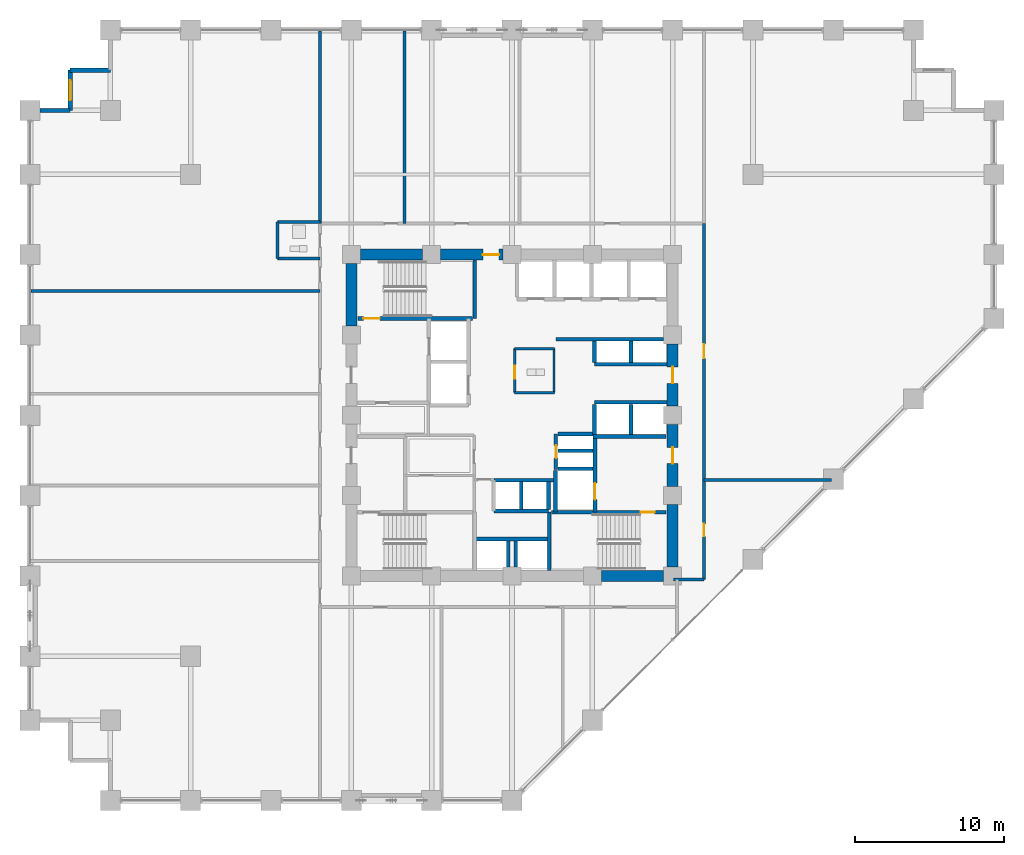
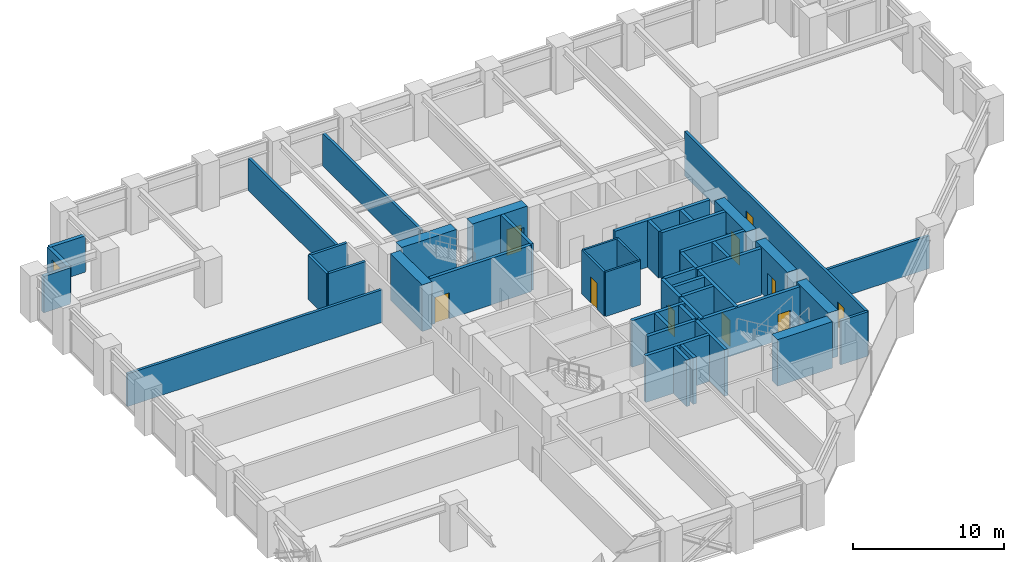
# One storey, part 21 of 24: 48 walls, 10 doors, 1 window, 11 openings.
"""IFC4 building model written with IfcOpenShell, lengths in metres."""

from ifc_helpers import new_model, si_unit, direction, frame, frame_2d, origin, place, context, subcontext, project, spatial, rectangle, extrude, material, layer, layer_set, type_object, element, fill, save


model = new_model("IFC4")

# Units and contexts
model_context = context("Model", 3, precision=1e-05, world=origin(), true_north=direction((0.0, 1.0)))
body_context = subcontext(model_context, "Body", "Model", "MODEL_VIEW")
ifc_project = project(units=[si_unit("LENGTHUNIT", "METRE"), si_unit("AREAUNIT", "SQUARE_METRE"), si_unit("VOLUMEUNIT", "CUBIC_METRE"), si_unit("PLANEANGLEUNIT", "RADIAN"), si_unit("MASSUNIT", "GRAM", prefix="KILO")], contexts=[model_context])

# Site, building, storey
site_placement = place(None, origin())
site = spatial("IfcSite", under=ifc_project, at=site_placement, CompositionType="ELEMENT")
building_placement = place(site_placement, origin())
building = spatial("IfcBuilding", under=site, at=building_placement, Name="Surkhivell Harbour Commons", CompositionType="ELEMENT")
storey_placement = place(building_placement, frame((0.0, 0.0, 30.0)))
storey = spatial("IfcBuildingStorey", under=building, at=storey_placement, Name="L07", CompositionType="ELEMENT", Elevation=30.0)

# Walls
ifc_material_1 = material(Name="Concrete C60/75", Category="concrete")
ifc_layer_1 = layer(ifc_material_1, 0.75)
ifc_layer_set_1 = layer_set([ifc_layer_1], Name="Concrete C60/75")
wall_type_1 = type_object("IfcWallType", Name="WAL-CORE-750", PredefinedType="SHEAR", material=ifc_layer_set_1)
for number, where, z_axis, x_axis, name in (
    (1, (-10.18994140625, 10.800048828125, 0.0), (0.0, 0.0, 1.0), (1.0, 0.0, 0.0), "L07 Core Shear Wall North 1"),
    (2, (10.800048828125, -10.18994140625, 0.0), (0.0, 0.0, 1.0), (0.0, 1.0, 0.0), "L07 Core Shear Wall East 1"),
):
    element("IfcWall", number, at=place(storey_placement, frame(where, z_axis=z_axis, x_axis=x_axis)), inside=storey, type_object=wall_type_1, Name=name, PredefinedType="SHEAR", context=body_context, shape_type="SweptSolid", body=[
        extrude(rectangle(XDim=4.179931640625, YDim=0.75, at=frame_2d((2.08984375, 0.0))), origin(), (0.0, 0.0, 1.0), 3.75),
    ])

# Wall, opening, door
wall_1_placement = place(storey_placement, frame((-4.7900390625, 10.800048828125, 0.0), z_axis=(0.0, 0.0, 1.0), x_axis=(1.0, 0.0, 0.0)))
wall_1 = element("IfcWall", 3, at=wall_1_placement, inside=storey, type_object=wall_type_1, Name="L07 Core Shear Wall North 2", PredefinedType="SHEAR", context=body_context, shape_type="SweptSolid", body=[
    extrude(rectangle(XDim=4.179931640625, YDim=0.75, at=frame_2d((2.08984375, 0.0))), origin(), (0.0, 0.0, 1.0), 3.75),
])
opening_1_placement = place(wall_1_placement, frame((2.830078125, 0.0, 0.0)))
opening_1 = element("IfcOpeningElement", 4, at=opening_1_placement, cuts=wall_1, Name="Opening ID-2", PredefinedType="OPENING", context=body_context, shape_type="SweptSolid", body=[
    extrude(rectangle(XDim=1.10009765625, YDim=2.10009765625, at=frame_2d((0.550048828125, 1.050048828125))), frame((0.0, 0.385009765625, 0.0), z_axis=(0.0, -1.0, 0.0), x_axis=(1.0, 0.0, 0.0)), (0.0, 0.0, 1.0), 0.77001953125),
])
ifc_material_2 = material(Name="Hardwood-veneered fire-rated door leaf", Category="wood")
door_type_1 = type_object("IfcDoorType", Name="DOR-FD60-1100", OperationType="NOTDEFINED", PredefinedType="DOOR", material=ifc_material_2)
door_1_placement = place(opening_1_placement, origin())
door_1 = element("IfcDoor", 5, at=door_1_placement, inside=storey, type_object=door_type_1, Name="L07 Central Core Lift Hall North Corridor Door", OperationType="SINGLE_SWING_LEFT", OverallHeight=2.10009765625, OverallWidth=1.10009765625, PredefinedType="DOOR", context=body_context, shape_type="SweptSolid", body=[
    extrude(rectangle(XDim=1.10009765625, YDim=2.10009765625, at=frame_2d((0.550048828125, 1.050048828125))), frame((0.0, 0.02490234375, 0.0), z_axis=(0.0, -1.0, 0.0), x_axis=(1.0, 0.0, 0.0)), (0.0, 0.0, 1.0), 0.050048828125),
])
fill(opening_1, door_1)

wall_2_placement = place(storey_placement, frame((10.800048828125, -4.7900390625, 0.0), z_axis=(0.0, 0.0, 1.0), x_axis=(0.0, 1.0, 0.0)))
wall_2 = element("IfcWall", 6, at=wall_2_placement, inside=storey, type_object=wall_type_1, Name="L07 Core Shear Wall East 2", PredefinedType="SHEAR", context=body_context, shape_type="SweptSolid", body=[
    extrude(rectangle(XDim=4.179931640625, YDim=0.75, at=frame_2d((2.08984375, 0.0))), origin(), (0.0, 0.0, 1.0), 3.75),
])
opening_2_placement = place(wall_2_placement, frame((1.5400390625, 0.0, 0.0)))
opening_2 = element("IfcOpeningElement", 7, at=opening_2_placement, cuts=wall_2, Name="Opening ID-1", PredefinedType="OPENING", context=body_context, shape_type="SweptSolid", body=[
    extrude(rectangle(XDim=1.10009765625, YDim=2.10009765625, at=frame_2d((0.550048828125, 1.050048828125))), frame((0.0, 0.385009765625, 0.0), z_axis=(0.0, -1.0, 0.0), x_axis=(1.0, 0.0, 0.0)), (0.0, 0.0, 1.0), 0.77001953125),
])
door_type_2 = type_object("IfcDoorType", Name="DOR-FD120-1100", OperationType="NOTDEFINED", PredefinedType="DOOR", material=ifc_material_2)
door_2_placement = place(opening_2_placement, origin())
door_2 = element("IfcDoor", 8, at=door_2_placement, inside=storey, type_object=door_type_2, Name="L07 Firefighting Lobby 2 Corridor Door", OperationType="SINGLE_SWING_RIGHT", OverallHeight=2.10009765625, OverallWidth=1.10009765625, PredefinedType="DOOR", context=body_context, shape_type="SweptSolid", body=[
    extrude(rectangle(XDim=1.10009765625, YDim=2.10009765625, at=frame_2d((0.550048828125, 1.050048828125))), frame((0.0, 0.02490234375, 0.0), z_axis=(0.0, -1.0, 0.0), x_axis=(1.0, 0.0, 0.0)), (0.0, 0.0, 1.0), 0.050048828125),
])
fill(opening_2, door_2)

wall_3_placement = place(storey_placement, frame((10.800048828125, 0.610107421875, 0.0), z_axis=(0.0, 0.0, 1.0), x_axis=(0.0, 1.0, 0.0)))
wall_3 = element("IfcWall", 9, at=wall_3_placement, inside=storey, type_object=wall_type_1, Name="L07 Core Shear Wall East 3", PredefinedType="SHEAR", context=body_context, shape_type="SweptSolid", body=[
    extrude(rectangle(XDim=4.179931640625, YDim=0.75, at=frame_2d((2.08984375, 0.0))), origin(), (0.0, 0.0, 1.0), 3.75),
])
opening_3_placement = place(wall_3_placement, frame((1.5400390625, 0.0, 0.0)))
opening_3 = element("IfcOpeningElement", 10, at=opening_3_placement, cuts=wall_3, Name="Opening ID-2", PredefinedType="OPENING", context=body_context, shape_type="SweptSolid", body=[
    extrude(rectangle(XDim=1.10009765625, YDim=2.10009765625, at=frame_2d((0.550048828125, 1.050048828125))), frame((0.0, 0.385009765625, 0.0), z_axis=(0.0, -1.0, 0.0), x_axis=(1.0, 0.0, 0.0)), (0.0, 0.0, 1.0), 0.77001953125),
])
door_3_placement = place(opening_3_placement, origin())
door_3 = element("IfcDoor", 11, at=door_3_placement, inside=storey, type_object=door_type_1, Name="L07 Mid-Rise Lobby East Door", OperationType="SINGLE_SWING_LEFT", OverallHeight=2.10009765625, OverallWidth=1.10009765625, PredefinedType="DOOR", context=body_context, shape_type="SweptSolid", body=[
    extrude(rectangle(XDim=1.10009765625, YDim=2.10009765625, at=frame_2d((0.550048828125, 1.050048828125))), frame((0.0, 0.02490234375, 0.0), z_axis=(0.0, -1.0, 0.0), x_axis=(1.0, 0.0, 0.0)), (0.0, 0.0, 1.0), 0.050048828125),
])
fill(opening_3, door_3)

# Walls
for number, where, z_axis, x_axis, name in (
    (12, (6.010009765625, -10.800048828125, 0.0), (0.0, 0.0, 1.0), (1.0, 0.0, 0.0), "L07 Core Shear Wall South 4"),
    (13, (-10.800048828125, 6.010009765625, 0.0), (0.0, 0.0, 1.0), (0.0, 1.0, 0.0), "L07 Core Shear Wall West 4"),
):
    element("IfcWall", number, at=place(storey_placement, frame(where, z_axis=z_axis, x_axis=x_axis)), inside=storey, type_object=wall_type_1, Name=name, PredefinedType="SHEAR", context=body_context, shape_type="SweptSolid", body=[
        extrude(rectangle(XDim=4.179931640625, YDim=0.75, at=frame_2d((2.08984375, 0.0))), origin(), (0.0, 0.0, 1.0), 3.75),
    ])
ifc_material_3 = material(Name="Terracotta-clad reinforced concrete C45/55", Category="masonry")
ifc_layer_2 = layer(ifc_material_3, 0.280029296875)
ifc_layer_set_2 = layer_set([ifc_layer_2], Name="Terracotta-clad reinforced concrete C45/55")
wall_type_2 = type_object("IfcWallType", Name="WAL-EXT-TER280", PredefinedType="STANDARD", material=ifc_layer_set_2)
wall_4_placement = place(storey_placement, frame((-27.0, 23.199951171875, 0.0), z_axis=(0.0, 0.0, 1.0), x_axis=(-1.0, 0.0, 0.0)))
element("IfcWall", 14, at=wall_4_placement, inside=storey, type_object=wall_type_2, Name="L07 Serrated Corner Facade Wall 09", PredefinedType="STANDARD", context=body_context, shape_type="SweptSolid", body=[
    extrude(rectangle(XDim=2.699951171875, YDim=0.280029296875, at=frame_2d((1.35009765625, 0.0))), origin(), (0.0, 0.0, 1.0), 2.929931640625),
])

# Wall, opening, window
wall_5_placement = place(storey_placement, frame((-29.699951171875, 23.199951171875, 0.0), z_axis=(0.0, 0.0, 1.0), x_axis=(0.0, -1.0, 0.0)))
wall_5 = element("IfcWall", 15, at=wall_5_placement, inside=storey, type_object=wall_type_2, Name="L07 Serrated Corner Facade Wall 10", PredefinedType="STANDARD", context=body_context, shape_type="SweptSolid", body=[
    extrude(rectangle(XDim=2.699951171875, YDim=0.280029296875, at=frame_2d((1.35009765625, 0.0))), origin(), (0.0, 0.0, 1.0), 2.929931640625),
])
opening_4_placement = place(wall_5_placement, frame((0.675048828125, 0.0, 0.64990234375)))
opening_4 = element("IfcOpeningElement", 16, at=opening_4_placement, cuts=wall_5, Name="Opening WN-08", PredefinedType="OPENING", context=body_context, shape_type="SweptSolid", body=[
    extrude(rectangle(XDim=1.35009765625, YDim=1.64990234375, at=frame_2d((0.675048828125, 0.824951171875))), frame((0.0, 0.14990234375, 0.0), z_axis=(0.0, -1.0, 0.0), x_axis=(1.0, 0.0, 0.0)), (0.0, 0.0, 1.0), 0.300048828125),
])
ifc_material_4 = material(Name="Thermal-break aluminium frame and double low-E glazing", Category="aluminium")
window_type = type_object("IfcWindowType", Name="WIN-SER-1350x1650", PartitioningType="SINGLE_PANEL", PredefinedType="WINDOW", material=ifc_material_4)
window_placement = place(opening_4_placement, origin())
window = element("IfcWindow", 17, at=window_placement, inside=storey, type_object=window_type, Name="L07 Serrated Alcove Window 10", OverallHeight=1.64990234375, OverallWidth=1.35009765625, PartitioningType="SINGLE_PANEL", PredefinedType="WINDOW", context=body_context, shape_type="SweptSolid", body=[
    extrude(rectangle(XDim=1.35009765625, YDim=1.64990234375, at=frame_2d((0.675048828125, 0.824951171875))), frame((0.0, 0.030029296875, 0.0), z_axis=(0.0, -1.0, 0.0), x_axis=(1.0, 0.0, 0.0)), (0.0, 0.0, 1.0), 0.06005859375),
])
fill(opening_4, window)

# Walls
wall_6_placement = place(storey_placement, frame((-29.699951171875, 20.5, 0.0), z_axis=(0.0, 0.0, 1.0), x_axis=(-1.0, 0.0, 0.0)))
element("IfcWall", 18, at=wall_6_placement, inside=storey, type_object=wall_type_2, Name="L07 Serrated Corner Facade Wall 11", PredefinedType="STANDARD", context=body_context, shape_type="SweptSolid", body=[
    extrude(rectangle(XDim=2.027099609375, YDim=0.280029296875, at=frame_2d((1.013671875, 0.0))), origin(), (0.0, 0.0, 1.0), 2.929931640625),
])
ifc_material_5 = material(Name="Twin-stud acoustic fireboard partition", Category="other")
ifc_layer_3 = layer(ifc_material_5, 0.14990234375)
ifc_layer_set_3 = layer_set([ifc_layer_3], Name="Twin-stud acoustic fireboard partition")
wall_type_3 = type_object("IfcWallType", Name="WAL-INT-150", PredefinedType="PARTITIONING", material=ifc_layer_set_3)
wall_7_placement = place(storey_placement, frame((2.820068359375, 1.52001953125, 0.0), z_axis=(0.0, 0.0, 1.0), x_axis=(0.0, 1.0, 0.0)))
element("IfcWall", 19, at=wall_7_placement, inside=storey, type_object=wall_type_3, Name="L07 Core Accessible WC East Wall", PredefinedType="PARTITIONING", context=body_context, shape_type="SweptSolid", body=[
    extrude(rectangle(XDim=2.9599609375, YDim=0.14990234375, at=frame_2d((1.47998046875, 0.0))), origin(), (0.0, 0.0, 1.0), 3.570068359375),
])
for number, where, z_axis, x_axis, name in (
    (20, (0.179931640625, 4.47998046875, 0.0), (0.0, 0.0, 1.0), (1.0, 0.0, 0.0), "L07 Core Accessible WC North Wall"),
    (21, (0.179931640625, 1.52001953125, 0.0), (0.0, 0.0, 1.0), (1.0, 0.0, 0.0), "L07 Core Accessible WC South Wall"),
):
    element("IfcWall", number, at=place(storey_placement, frame(where, z_axis=z_axis, x_axis=x_axis)), inside=storey, type_object=wall_type_3, Name=name, PredefinedType="PARTITIONING", context=body_context, shape_type="SweptSolid", body=[
        extrude(rectangle(XDim=2.670166015625, YDim=0.14990234375, at=frame_2d((1.3349609375, 0.0))), origin(), (0.0, 0.0, 1.0), 3.570068359375),
    ])

# Wall, opening, door
wall_8_placement = place(storey_placement, frame((0.179931640625, 1.52001953125, 0.0), z_axis=(0.0, 0.0, 1.0), x_axis=(0.0, 1.0, 0.0)))
wall_8 = element("IfcWall", 22, at=wall_8_placement, inside=storey, type_object=wall_type_3, Name="L07 Core Accessible WC West Wall", PredefinedType="PARTITIONING", context=body_context, shape_type="SweptSolid", body=[
    extrude(rectangle(XDim=2.9599609375, YDim=0.14990234375, at=frame_2d((1.47998046875, 0.0))), origin(), (0.0, 0.0, 1.0), 3.570068359375),
])
opening_5_placement = place(wall_8_placement, frame((0.949951171875, 0.0, 0.0)))
opening_5 = element("IfcOpeningElement", 23, at=opening_5_placement, cuts=wall_8, Name="Opening ID-6", PredefinedType="OPENING", context=body_context, shape_type="SweptSolid", body=[
    extrude(rectangle(XDim=0.85009765625, YDim=2.10009765625, at=frame_2d((0.425048828125, 1.050048828125))), frame((0.0, 0.0849609375, 0.0), z_axis=(0.0, -1.0, 0.0), x_axis=(1.0, 0.0, 0.0)), (0.0, 0.0, 1.0), 0.169921875),
])
door_type_3 = type_object("IfcDoorType", Name="DOR-FD30-850", OperationType="NOTDEFINED", PredefinedType="DOOR", material=ifc_material_2)
door_4_placement = place(opening_5_placement, origin())
door_4 = element("IfcDoor", 24, at=door_4_placement, inside=storey, type_object=door_type_3, Name="L07 Floor Accessible WC Door", OperationType="SINGLE_SWING_RIGHT", OverallHeight=2.10009765625, OverallWidth=0.85009765625, PredefinedType="DOOR", context=body_context, shape_type="SweptSolid", body=[
    extrude(rectangle(XDim=0.85009765625, YDim=2.10009765625, at=frame_2d((0.425048828125, 1.050048828125))), frame((0.0, 0.02490234375, 0.0), z_axis=(0.0, -1.0, 0.0), x_axis=(1.0, 0.0, 0.0)), (0.0, 0.0, 1.0), 0.050048828125),
])
fill(opening_5, door_4)

# Wall
ifc_material_6 = material(Name="Autoclaved aerated concrete blockwork and fire plaster", Category="masonry")
ifc_layer_4 = layer(ifc_material_6, 0.199951171875)
ifc_layer_set_4 = layer_set([ifc_layer_4], Name="Autoclaved aerated concrete blockwork and fire plaster")
wall_type_4 = type_object("IfcWallType", Name="WAL-INT-200", PredefinedType="PARTITIONING", material=ifc_layer_set_4)
wall_9_placement = place(storey_placement, frame((-12.89990234375, 12.89990234375, 0.0), z_axis=(0.0, 0.0, 1.0), x_axis=(0.0, 1.0, 0.0)))
element("IfcWall", 25, at=wall_9_placement, inside=storey, type_object=wall_type_4, Name="L07 North-West Wing Corner Divider", PredefinedType="PARTITIONING", context=body_context, shape_type="SweptSolid", body=[
    extrude(rectangle(XDim=12.940185546875, YDim=0.199951171875, at=frame_2d((6.47021484375, 0.0))), origin(), (0.0, 0.0, 1.0), 2.62890625),
])

# Wall, openings, doors
wall_10_placement = place(storey_placement, frame((12.89990234375, -11.0400390625, 0.0), z_axis=(0.0, 0.0, 1.0), x_axis=(0.0, 1.0, 0.0)))
wall_10 = element("IfcWall", 26, at=wall_10_placement, inside=storey, type_object=wall_type_4, Name="L07 Corridor East Wall", PredefinedType="PARTITIONING", context=body_context, shape_type="SweptSolid", body=[
    extrude(rectangle(XDim=23.93994140625, YDim=0.199951171875, at=frame_2d((11.969970703125, 0.0))), origin(), (0.0, 0.0, 1.0), 3.570068359375),
])
opening_6_placement = place(wall_10_placement, frame((2.89990234375, 0.0, 0.0)))
opening_6 = element("IfcOpeningElement", 27, at=opening_6_placement, cuts=wall_10, Name="Opening ID-6", PredefinedType="OPENING", context=body_context, shape_type="SweptSolid", body=[
    extrude(rectangle(XDim=0.85009765625, YDim=2.10009765625, at=frame_2d((0.425048828125, 1.050048828125))), frame((0.0, 0.10986328125, 0.0), z_axis=(0.0, -1.0, 0.0), x_axis=(1.0, 0.0, 0.0)), (0.0, 0.0, 1.0), 0.219970703125),
])
opening_7_placement = place(wall_10_placement, frame((14.8701171875, 0.0, 0.0)))
opening_7 = element("IfcOpeningElement", 28, at=opening_7_placement, cuts=wall_10, Name="Opening ID-4", PredefinedType="OPENING", context=body_context, shape_type="SweptSolid", body=[
    extrude(rectangle(XDim=0.949951171875, YDim=2.10009765625, at=frame_2d((0.47509765625, 1.050048828125))), frame((0.0, 0.10986328125, 0.0), z_axis=(0.0, -1.0, 0.0), x_axis=(1.0, 0.0, 0.0)), (0.0, 0.0, 1.0), 0.219970703125),
])
door_5_placement = place(opening_6_placement, origin())
door_5 = element("IfcDoor", 29, at=door_5_placement, inside=storey, type_object=door_type_3, Name="L07 Shared Communal Kitchen A East Door", OperationType="SINGLE_SWING_LEFT", OverallHeight=2.10009765625, OverallWidth=0.85009765625, PredefinedType="DOOR", context=body_context, shape_type="SweptSolid", body=[
    extrude(rectangle(XDim=0.85009765625, YDim=2.10009765625, at=frame_2d((0.425048828125, 1.050048828125))), frame((0.0, 0.02490234375, 0.0), z_axis=(0.0, -1.0, 0.0), x_axis=(1.0, 0.0, 0.0)), (0.0, 0.0, 1.0), 0.050048828125),
])
fill(opening_6, door_5)
door_type_4 = type_object("IfcDoorType", Name="DOR-FD60-950", OperationType="NOTDEFINED", PredefinedType="DOOR", material=ifc_material_2)
door_6_placement = place(opening_7_placement, origin())
door_6 = element("IfcDoor", 30, at=door_6_placement, inside=storey, type_object=door_type_4, Name="L07 Shared Communal Kitchen B East Door", OperationType="SINGLE_SWING_RIGHT", OverallHeight=2.10009765625, OverallWidth=0.949951171875, PredefinedType="DOOR", context=body_context, shape_type="SweptSolid", body=[
    extrude(rectangle(XDim=0.949951171875, YDim=2.10009765625, at=frame_2d((0.47509765625, 1.050048828125))), frame((0.0, 0.02490234375, 0.0), z_axis=(0.0, -1.0, 0.0), x_axis=(1.0, 0.0, 0.0)), (0.0, 0.0, 1.0), 0.050048828125),
])
fill(opening_7, door_6)

# Walls
wall_11_placement = place(storey_placement, frame((10.85009765625, -11.0400390625, 0.0), z_axis=(0.0, 0.0, 1.0), x_axis=(1.0, 0.0, 0.0)))
element("IfcWall", 31, at=wall_11_placement, inside=storey, type_object=wall_type_4, Name="L07 Corridor East South Closure Wall", PredefinedType="PARTITIONING", context=body_context, shape_type="SweptSolid", body=[
    extrude(rectangle(XDim=2.0498046875, YDim=0.199951171875, at=frame_2d((1.02490234375, 0.0))), origin(), (0.0, 0.0, 1.0), 3.570068359375),
])
wall_12_placement = place(storey_placement, frame((12.89990234375, -4.340087890625, 0.0), z_axis=(0.0, 0.0, 1.0), x_axis=(1.0, 0.0, 0.0)))
element("IfcWall", 32, at=wall_12_placement, inside=storey, type_object=wall_type_4, Name="L07 East Partition P1", PredefinedType="PARTITIONING", context=body_context, shape_type="SweptSolid", body=[
    extrude(rectangle(XDim=8.5751953125, YDim=0.199951171875, at=frame_2d((4.28759765625, 0.0))), origin(), (0.0, 0.0, 1.0), 2.62890625),
])
wall_13_placement = place(storey_placement, frame((-7.219970703125, 12.89990234375, 0.0), z_axis=(0.0, 0.0, 1.0), x_axis=(0.0, 1.0, 0.0)))
element("IfcWall", 33, at=wall_13_placement, inside=storey, type_object=wall_type_4, Name="L07 North Partition P1", PredefinedType="PARTITIONING", context=body_context, shape_type="SweptSolid", body=[
    extrude(rectangle(XDim=12.940185546875, YDim=0.199951171875, at=frame_2d((6.47021484375, 0.0))), origin(), (0.0, 0.0, 1.0), 2.62890625),
])
wall_14_placement = place(storey_placement, frame((-15.75, 10.550048828125, 0.0), z_axis=(0.0, 0.0, 1.0), x_axis=(0.0, 1.0, 0.0)))
element("IfcWall", 34, at=wall_14_placement, inside=storey, type_object=wall_type_4, Name="L07 West Partition BTHB", PredefinedType="PARTITIONING", context=body_context, shape_type="SweptSolid", body=[
    extrude(rectangle(XDim=2.449951171875, YDim=0.199951171875, at=frame_2d((1.22509765625, 0.0))), origin(), (0.0, 0.0, 1.0), 3.570068359375),
])
for number, where, z_axis, x_axis, name in (
    (35, (-15.75, 13.0, 0.0), (0.0, 0.0, 1.0), (1.0, 0.0, 0.0), "L07 West Partition BTHN"),
    (36, (-15.75, 10.550048828125, 0.0), (0.0, 0.0, 1.0), (1.0, 0.0, 0.0), "L07 West Partition BTHS"),
):
    element("IfcWall", number, at=place(storey_placement, frame(where, z_axis=z_axis, x_axis=x_axis)), inside=storey, type_object=wall_type_4, Name=name, PredefinedType="PARTITIONING", context=body_context, shape_type="SweptSolid", body=[
        extrude(rectangle(XDim=2.85009765625, YDim=0.199951171875, at=frame_2d((1.425048828125, 0.0))), origin(), (0.0, 0.0, 1.0), 3.570068359375),
    ])
wall_15_placement = place(storey_placement, frame((-32.340087890625, 8.35009765625, 0.0), z_axis=(0.0, 0.0, 1.0), x_axis=(1.0, 0.0, 0.0)))
element("IfcWall", 37, at=wall_15_placement, inside=storey, type_object=wall_type_4, Name="L07 West Partition PTOP", PredefinedType="PARTITIONING", context=body_context, shape_type="SweptSolid", body=[
    extrude(rectangle(XDim=19.440185546875, YDim=0.199951171875, at=frame_2d((9.72021484375, 0.0))), origin(), (0.0, 0.0, 1.0), 2.62890625),
])
ifc_material_7 = material(Name="Concrete C50/60", Category="concrete")
ifc_layer_5 = layer(ifc_material_7, 0.25)
ifc_layer_set_5 = layer_set([ifc_layer_5], Name="Concrete C50/60")
wall_type_5 = type_object("IfcWallType", Name="WAL-SHAFT-250", PredefinedType="SHEAR", material=ifc_layer_set_5)
wall_16_placement = place(storey_placement, frame((2.929931640625, -6.510009765625, 0.0), z_axis=(0.0, 0.0, 1.0), x_axis=(0.0, 1.0, 0.0)))
element("IfcWall", 38, at=wall_16_placement, inside=storey, type_object=wall_type_5, Name="L07 FFL2 West Shaft Wall", PredefinedType="SHEAR", context=body_context, shape_type="SweptSolid", body=[
    extrude(rectangle(XDim=2.7900390625, YDim=0.25, at=frame_2d((1.39501953125, 0.0))), origin(), (0.0, 0.0, 1.0), 3.75),
])
wall_17_placement = place(storey_placement, frame((5.43994140625, -1.419921875, 0.0), z_axis=(0.0, 0.0, 1.0), x_axis=(1.0, 0.0, 0.0)))
element("IfcWall", 39, at=wall_17_placement, inside=storey, type_object=wall_type_5, Name="L07 Firefighting Lobby 2 North Wall", PredefinedType="SHEAR", context=body_context, shape_type="SweptSolid", body=[
    extrude(rectangle(XDim=4.900146484375, YDim=0.25, at=frame_2d((2.4501953125, 0.0))), origin(), (0.0, 0.0, 1.0), 3.75),
])
wall_18_placement = place(storey_placement, frame((3.080078125, -3.60009765625, 0.0), z_axis=(0.0, 0.0, 1.0), x_axis=(1.0, 0.0, 0.0)))
element("IfcWall", 40, at=wall_18_placement, inside=storey, type_object=wall_type_5, Name="L07 FFL2 North Shaft Wall", PredefinedType="SHEAR", context=body_context, shape_type="SweptSolid", body=[
    extrude(rectangle(XDim=2.369873046875, YDim=0.25, at=frame_2d((1.18505859375, 0.0))), origin(), (0.0, 0.0, 1.0), 3.75),
])

# Wall, opening, door
wall_19_placement = place(storey_placement, frame((5.580078125, -6.510009765625, 0.0), z_axis=(0.0, 0.0, 1.0), x_axis=(0.0, 1.0, 0.0)))
wall_19 = element("IfcWall", 41, at=wall_19_placement, inside=storey, type_object=wall_type_5, Name="L07 Firefighting Lobby 2 West Shaft Wall", PredefinedType="SHEAR", context=body_context, shape_type="SweptSolid", body=[
    extrude(rectangle(XDim=5.090087890625, YDim=0.25, at=frame_2d((2.544921875, 0.0))), origin(), (0.0, 0.0, 1.0), 3.75),
])
opening_8_placement = place(wall_19_placement, frame((0.85009765625, 0.0, 0.0)))
opening_8 = element("IfcOpeningElement", 42, at=opening_8_placement, cuts=wall_19, Name="Opening LD-1", PredefinedType="OPENING", context=body_context, shape_type="SweptSolid", body=[
    extrude(rectangle(XDim=1.10009765625, YDim=2.10009765625, at=frame_2d((0.550048828125, 1.050048828125))), frame((0.0, 0.135009765625, 0.0), z_axis=(0.0, -1.0, 0.0), x_axis=(1.0, 0.0, 0.0)), (0.0, 0.0, 1.0), 0.27001953125),
])
ifc_material_8 = material(Name="Brushed stainless steel S355", Category="steel")
door_type_5 = type_object("IfcDoorType", Name="DOR-LD-1100", OperationType="SLIDING_TO_LEFT", PredefinedType="DOOR", material=ifc_material_8)
door_7_placement = place(opening_8_placement, origin())
door_7 = element("IfcDoor", 43, at=door_7_placement, inside=storey, type_object=door_type_5, Name="L07 Lift Landing Door LD-FFL2", OperationType="SLIDING_TO_RIGHT", OverallHeight=2.10009765625, OverallWidth=1.10009765625, PredefinedType="DOOR", context=body_context, shape_type="SweptSolid", body=[
    extrude(rectangle(XDim=1.10009765625, YDim=2.10009765625, at=frame_2d((0.550048828125, 1.050048828125))), frame((0.0, 0.02490234375, 0.0), z_axis=(0.0, -1.0, 0.0), x_axis=(1.0, 0.0, 0.0)), (0.0, 0.0, 1.0), 0.050048828125),
])
fill(opening_8, door_7)

# Walls
for number, where, z_axis, x_axis, name in (
    (44, (0.6201171875, -6.340087890625, 0.0), (0.0, 0.0, 1.0), (0.0, 1.0, 0.0), "L07 High-Rise Side Wall N"),
    (45, (2.449951171875, -6.340087890625, 0.0), (0.0, 0.0, 1.0), (0.0, 1.0, 0.0), "L07 High-Rise Side Wall N"),
):
    element("IfcWall", number, at=place(storey_placement, frame(where, z_axis=z_axis, x_axis=x_axis)), inside=storey, type_object=wall_type_5, Name=name, PredefinedType="SHEAR", context=body_context, shape_type="SweptSolid", body=[
        extrude(rectangle(XDim=1.880126953125, YDim=0.25, at=frame_2d((0.93994140625, 0.0))), origin(), (0.0, 0.0, 1.0), 3.75),
    ])
for number, where, z_axis, x_axis, name in (
    (46, (-0.25, -10.199951171875, 0.0), (0.0, 0.0, 1.0), (0.0, 1.0, 0.0), "L07 High-Rise Side Wall S"),
    (47, (0.25, -10.199951171875, 0.0), (0.0, 0.0, 1.0), (0.0, 1.0, 0.0), "L07 High-Rise Side Wall S"),
):
    element("IfcWall", number, at=place(storey_placement, frame(where, z_axis=z_axis, x_axis=x_axis)), inside=storey, type_object=wall_type_5, Name=name, PredefinedType="SHEAR", context=body_context, shape_type="SweptSolid", body=[
        extrude(rectangle(XDim=1.760009765625, YDim=0.25, at=frame_2d((0.8798828125, 0.0))), origin(), (0.0, 0.0, 1.0), 3.75),
    ])
wall_20_placement = place(storey_placement, frame((-1.219970703125, -6.43994140625, 0.0), z_axis=(0.0, 0.0, 1.0), x_axis=(1.0, 0.0, 0.0)))
element("IfcWall", 48, at=wall_20_placement, inside=storey, type_object=wall_type_5, Name="L07 High-Rise North Front Shaft Wall", PredefinedType="SHEAR", context=body_context, shape_type="SweptSolid", body=[
    extrude(rectangle(XDim=3.669921875, YDim=0.25, at=frame_2d((1.8349609375, 0.0))), origin(), (0.0, 0.0, 1.0), 3.75),
])
wall_21_placement = place(storey_placement, frame((-2.47998046875, -8.320068359375, 0.0), z_axis=(0.0, 0.0, 1.0), x_axis=(1.0, 0.0, 0.0)))
element("IfcWall", 49, at=wall_21_placement, inside=storey, type_object=wall_type_5, Name="L07 High-Rise South Front Shaft Wall", PredefinedType="SHEAR", context=body_context, shape_type="SweptSolid", body=[
    extrude(rectangle(XDim=4.929931640625, YDim=0.25, at=frame_2d((2.46484375, 0.0))), origin(), (0.0, 0.0, 1.0), 3.75),
])
wall_22_placement = place(storey_placement, frame((-1.219970703125, -4.360107421875, 0.0), z_axis=(0.0, 0.0, 1.0), x_axis=(1.0, 0.0, 0.0)))
element("IfcWall", 50, at=wall_22_placement, inside=storey, type_object=wall_type_5, Name="L07 High-Rise North Back Shaft Wall", PredefinedType="SHEAR", context=body_context, shape_type="SweptSolid", body=[
    extrude(rectangle(XDim=4.030029296875, YDim=0.25, at=frame_2d((2.01513671875, 0.0))), origin(), (0.0, 0.0, 1.0), 3.75),
])
wall_23_placement = place(storey_placement, frame((2.949951171875, 5.1201171875, 0.0), z_axis=(0.0, 0.0, 1.0), x_axis=(1.0, 0.0, 0.0)))
element("IfcWall", 51, at=wall_23_placement, inside=storey, type_object=wall_type_5, Name="L07 Low-Rise Lobby South Wall", PredefinedType="SHEAR", context=body_context, shape_type="SweptSolid", body=[
    extrude(rectangle(XDim=7.25, YDim=0.25, at=frame_2d((3.625, 0.0))), origin(), (0.0, 0.0, 1.0), 3.75),
])
for number, where, z_axis, x_axis, name in (
    (52, (5.550048828125, 3.550048828125, 0.0), (0.0, 0.0, 1.0), (0.0, 1.0, 0.0), "L07 Mid-Rise Shaft Side Wall N"),
    (53, (8.0, 3.550048828125, 0.0), (0.0, 0.0, 1.0), (0.0, 1.0, 0.0), "L07 Mid-Rise Shaft Side Wall N"),
):
    element("IfcWall", number, at=place(storey_placement, frame(where, z_axis=z_axis, x_axis=x_axis)), inside=storey, type_object=wall_type_5, Name=name, PredefinedType="SHEAR", context=body_context, shape_type="SweptSolid", body=[
        extrude(rectangle(XDim=1.449951171875, YDim=0.25, at=frame_2d((0.72509765625, 0.0))), origin(), (0.0, 0.0, 1.0), 3.75),
    ])
for number, where, z_axis, x_axis, name in (
    (54, (5.550048828125, -1.300048828125, 0.0), (0.0, 0.0, 1.0), (0.0, 1.0, 0.0), "L07 Mid-Rise Shaft Side Wall S"),
    (55, (8.0, -1.300048828125, 0.0), (0.0, 0.0, 1.0), (0.0, 1.0, 0.0), "L07 Mid-Rise Shaft Side Wall S"),
):
    element("IfcWall", number, at=place(storey_placement, frame(where, z_axis=z_axis, x_axis=x_axis)), inside=storey, type_object=wall_type_5, Name=name, PredefinedType="SHEAR", context=body_context, shape_type="SweptSolid", body=[
        extrude(rectangle(XDim=2.0400390625, YDim=0.25, at=frame_2d((1.02001953125, 0.0))), origin(), (0.0, 0.0, 1.0), 3.75),
    ])
for number, where, z_axis, x_axis, name in (
    (56, (5.550048828125, 3.429931640625, 0.0), (0.0, 0.0, 1.0), (1.0, 0.0, 0.0), "L07 Mid-Rise North Front Shaft Wall"),
    (57, (5.550048828125, 0.8701171875, 0.0), (0.0, 0.0, 1.0), (1.0, 0.0, 0.0), "L07 Mid-Rise South Front Shaft Wall"),
):
    element("IfcWall", number, at=place(storey_placement, frame(where, z_axis=z_axis, x_axis=x_axis)), inside=storey, type_object=wall_type_5, Name=name, PredefinedType="SHEAR", context=body_context, shape_type="SweptSolid", body=[
        extrude(rectangle(XDim=4.875, YDim=0.25, at=frame_2d((2.4375, 0.0))), origin(), (0.0, 0.0, 1.0), 3.75),
    ])
for number, where, z_axis, x_axis, name in (
    (58, (3.080078125, -2.3798828125, 0.0), (0.0, 0.0, 1.0), (1.0, 0.0, 0.0), "L07 Riser Divider Wall"),
    (59, (3.080078125, -1.25, 0.0), (0.0, 0.0, 1.0), (1.0, 0.0, 0.0), "L07 Riser North Wall"),
):
    element("IfcWall", number, at=place(storey_placement, frame(where, z_axis=z_axis, x_axis=x_axis)), inside=storey, type_object=wall_type_5, Name=name, PredefinedType="SHEAR", context=body_context, shape_type="SweptSolid", body=[
        extrude(rectangle(XDim=2.369873046875, YDim=0.25, at=frame_2d((1.18505859375, 0.0))), origin(), (0.0, 0.0, 1.0), 3.75),
    ])

# Wall, opening, door
wall_24_placement = place(storey_placement, frame((2.949951171875, -3.64990234375, 0.0), z_axis=(0.0, 0.0, 1.0), x_axis=(0.0, 1.0, 0.0)))
wall_24 = element("IfcWall", 60, at=wall_24_placement, inside=storey, type_object=wall_type_5, Name="L07 Riser Shaft West Wall", PredefinedType="SHEAR", context=body_context, shape_type="SweptSolid", body=[
    extrude(rectangle(XDim=2.39990234375, YDim=0.25, at=frame_2d((1.199951171875, 0.0))), origin(), (0.0, 0.0, 1.0), 3.75),
])
opening_9_placement = place(wall_24_placement, frame((0.77490234375, 0.0, 0.0)))
opening_9 = element("IfcOpeningElement", 61, at=opening_9_placement, cuts=wall_24, Name="Opening ID-6", PredefinedType="OPENING", context=body_context, shape_type="SweptSolid", body=[
    extrude(rectangle(XDim=0.85009765625, YDim=2.10009765625, at=frame_2d((0.425048828125, 1.050048828125))), frame((0.0, 0.135009765625, 0.0), z_axis=(0.0, -1.0, 0.0), x_axis=(1.0, 0.0, 0.0)), (0.0, 0.0, 1.0), 0.27001953125),
])
door_8_placement = place(opening_9_placement, origin())
door_8 = element("IfcDoor", 62, at=door_8_placement, inside=storey, type_object=door_type_3, Name="L07 Electrical Riser Access Door", OperationType="SINGLE_SWING_LEFT", OverallHeight=2.10009765625, OverallWidth=0.85009765625, PredefinedType="DOOR", context=body_context, shape_type="SweptSolid", body=[
    extrude(rectangle(XDim=0.85009765625, YDim=2.10009765625, at=frame_2d((0.425048828125, 1.050048828125))), frame((0.0, 0.02490234375, 0.0), z_axis=(0.0, -1.0, 0.0), x_axis=(1.0, 0.0, 0.0)), (0.0, 0.0, 1.0), 0.050048828125),
])
fill(opening_9, door_8)

# Wall
wall_25_placement = place(storey_placement, frame((-2.510009765625, 6.510009765625, 0.0), z_axis=(0.0, 0.0, 1.0), x_axis=(0.0, 1.0, 0.0)))
element("IfcWall", 63, at=wall_25_placement, inside=storey, type_object=wall_type_5, Name="L07 Stair ST1 East Shear Wall", PredefinedType="SHEAR", context=body_context, shape_type="SweptSolid", body=[
    extrude(rectangle(XDim=3.9150390625, YDim=0.25, at=frame_2d((1.95751953125, 0.0))), origin(), (0.0, 0.0, 1.0), 3.75),
])

# Wall, opening, door
wall_26_placement = place(storey_placement, frame((-10.340087890625, 6.510009765625, 0.0), z_axis=(0.0, 0.0, 1.0), x_axis=(1.0, 0.0, 0.0)))
wall_26 = element("IfcWall", 64, at=wall_26_placement, inside=storey, type_object=wall_type_5, Name="L07 Stair ST1 South Shear Wall", PredefinedType="SHEAR", context=body_context, shape_type="SweptSolid", body=[
    extrude(rectangle(XDim=7.7001953125, YDim=0.25, at=frame_2d((3.85009765625, 0.0))), origin(), (0.0, 0.0, 1.0), 3.75),
])
opening_10_placement = place(wall_26_placement, frame((0.35009765625, 0.0, 0.0)))
opening_10 = element("IfcOpeningElement", 65, at=opening_10_placement, cuts=wall_26, Name="Opening ID-2", PredefinedType="OPENING", context=body_context, shape_type="SweptSolid", body=[
    extrude(rectangle(XDim=1.10009765625, YDim=2.10009765625, at=frame_2d((0.550048828125, 1.050048828125))), frame((0.0, 0.135009765625, 0.0), z_axis=(0.0, -1.0, 0.0), x_axis=(1.0, 0.0, 0.0)), (0.0, 0.0, 1.0), 0.27001953125),
])
door_9_placement = place(opening_10_placement, origin())
door_9 = element("IfcDoor", 66, at=door_9_placement, inside=storey, type_object=door_type_1, Name="L07 Stair ST1 Exit Door", OperationType="SINGLE_SWING_LEFT", OverallHeight=2.10009765625, OverallWidth=1.10009765625, PredefinedType="DOOR", context=body_context, shape_type="SweptSolid", body=[
    extrude(rectangle(XDim=1.10009765625, YDim=2.10009765625, at=frame_2d((0.550048828125, 1.050048828125))), frame((0.0, 0.02490234375, 0.0), z_axis=(0.0, -1.0, 0.0), x_axis=(1.0, 0.0, 0.0)), (0.0, 0.0, 1.0), 0.050048828125),
])
fill(opening_10, door_9)

wall_27_placement = place(storey_placement, frame((2.639892578125, -6.510009765625, 0.0), z_axis=(0.0, 0.0, 1.0), x_axis=(1.0, 0.0, 0.0)))
wall_27 = element("IfcWall", 67, at=wall_27_placement, inside=storey, type_object=wall_type_5, Name="L07 Stair ST2 North Shear Wall", PredefinedType="SHEAR", context=body_context, shape_type="SweptSolid", body=[
    extrude(rectangle(XDim=7.7001953125, YDim=0.25, at=frame_2d((3.85009765625, 0.0))), origin(), (0.0, 0.0, 1.0), 3.75),
])
opening_11_placement = place(wall_27_placement, frame((6.0, 0.0, 0.0)))
opening_11 = element("IfcOpeningElement", 68, at=opening_11_placement, cuts=wall_27, Name="Opening ID-4", PredefinedType="OPENING", context=body_context, shape_type="SweptSolid", body=[
    extrude(rectangle(XDim=0.949951171875, YDim=2.10009765625, at=frame_2d((0.47509765625, 1.050048828125))), frame((0.0, 0.135009765625, 0.0), z_axis=(0.0, -1.0, 0.0), x_axis=(1.0, 0.0, 0.0)), (0.0, 0.0, 1.0), 0.27001953125),
])
door_10_placement = place(opening_11_placement, origin())
door_10 = element("IfcDoor", 69, at=door_10_placement, inside=storey, type_object=door_type_4, Name="L07 Stair ST2 Exit Door", OperationType="SINGLE_SWING_RIGHT", OverallHeight=2.10009765625, OverallWidth=0.949951171875, PredefinedType="DOOR", context=body_context, shape_type="SweptSolid", body=[
    extrude(rectangle(XDim=0.949951171875, YDim=2.10009765625, at=frame_2d((0.47509765625, 1.050048828125))), frame((0.0, 0.02490234375, 0.0), z_axis=(0.0, -1.0, 0.0), x_axis=(1.0, 0.0, 0.0)), (0.0, 0.0, 1.0), 0.050048828125),
])
fill(opening_11, door_10)

# Wall
wall_28_placement = place(storey_placement, frame((2.510009765625, -10.425048828125, 0.0), z_axis=(0.0, 0.0, 1.0), x_axis=(0.0, 1.0, 0.0)))
element("IfcWall", 70, at=wall_28_placement, inside=storey, type_object=wall_type_5, Name="L07 Stair ST2 West Shear Wall", PredefinedType="SHEAR", context=body_context, shape_type="SweptSolid", body=[
    extrude(rectangle(XDim=3.9150390625, YDim=0.25, at=frame_2d((1.95751953125, 0.0))), origin(), (0.0, 0.0, 1.0), 3.75),
])

save(model, "model.ifc")
